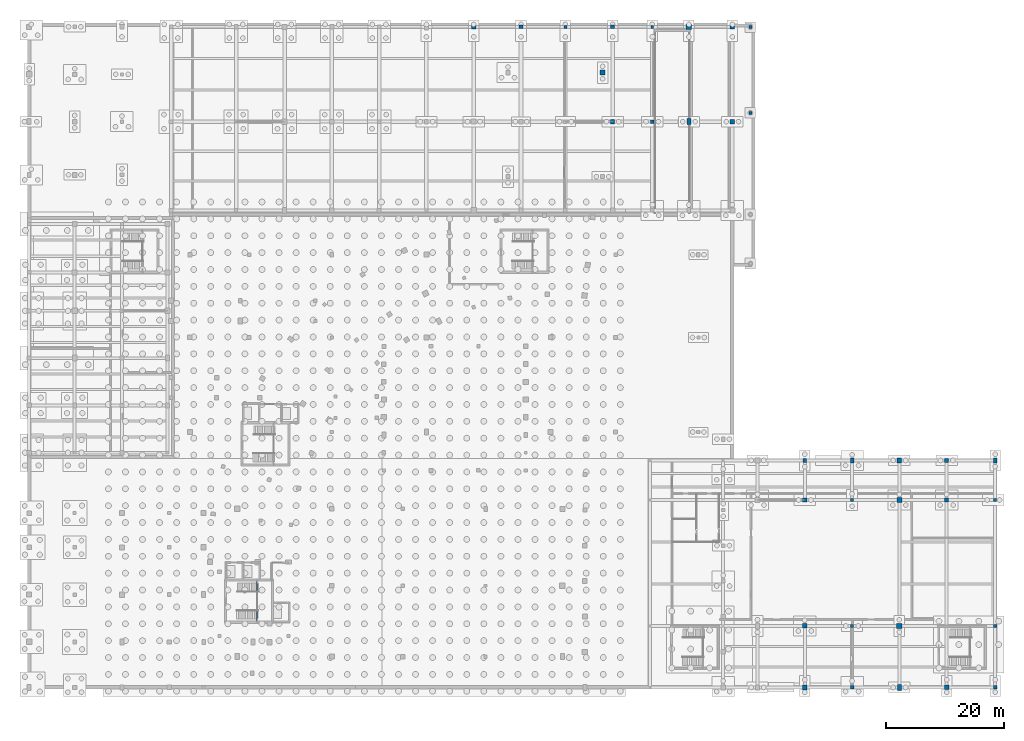
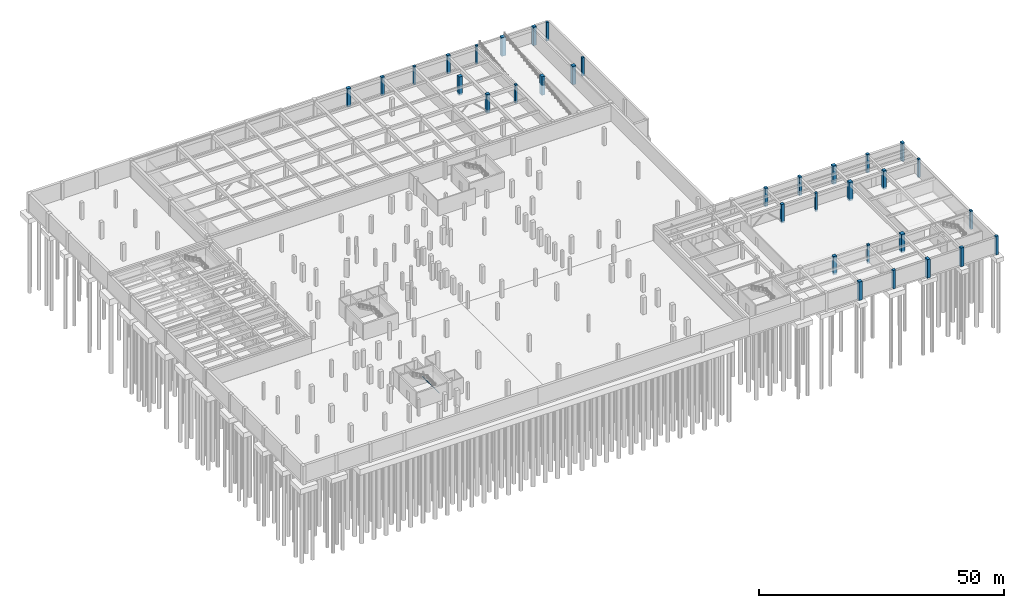
# One storey, part 9 of 36: 33 columns, 1 member.
"""IFC4 building model written with IfcOpenShell, lengths in metres."""

from ifc_helpers import new_model, si_unit, direction, frame, origin, origin_2d, place, context, subcontext, project, spatial, rectangle, hollow_rectangle, extrude, material, material_profile, profile_set, type_object, element, save


model = new_model("IFC4")

# Units and contexts
model_context = context("Model", 3, precision=1e-05, world=origin(), true_north=direction((0.0, 1.0)))
body_context = subcontext(model_context, "Body", "Model", "MODEL_VIEW")
ifc_project = project(units=[si_unit("LENGTHUNIT", "METRE"), si_unit("AREAUNIT", "SQUARE_METRE"), si_unit("VOLUMEUNIT", "CUBIC_METRE"), si_unit("PLANEANGLEUNIT", "RADIAN"), si_unit("MASSUNIT", "GRAM", prefix="KILO"), si_unit("THERMODYNAMICTEMPERATUREUNIT", "KELVIN"), si_unit("POWERUNIT", "WATT")], contexts=[model_context])

# Site, building, storey
site_placement = place(None, origin())
site = spatial("IfcSite", under=ifc_project, at=site_placement, CompositionType="ELEMENT")
building_placement = place(site_placement, origin())
building = spatial("IfcBuilding", under=site, at=building_placement, Name="Solvatero Civic Police Headquarters", CompositionType="ELEMENT")
storey_placement = place(building_placement, frame((0.0, 0.0, -8.39990234375)))
storey = spatial("IfcBuildingStorey", under=building, at=storey_placement, Name="B02", CompositionType="ELEMENT", Elevation=-8.39990234375)

# Columns
ifc_material_1 = material(Name="Concrete C40/50", Category="concrete")
ifc_material_profile_1 = material_profile(ifc_material_1, rectangle(XDim=0.5, YDim=0.5, at=origin_2d()), Name="RC 500x500")
ifc_profile_set_1 = profile_set([ifc_material_profile_1], Name="Concrete C40/50")
column_type_1 = type_object("IfcColumnType", Name="COL-RC-500", PredefinedType="COLUMN", material=ifc_profile_set_1)
for number, where, z_axis, x_axis, name in (
    (1, (144.0, 36.5, -0.440185546875), (0.0, 0.0, 1.0), (1.0, 0.0, 0.0), "Column V3-X3Y3 B02"),
    (2, (168.199951171875, 36.5, -0.440185546875), (0.0, 0.0, 1.0), (1.0, 0.0, 0.0), "Column V3-X6Y3 B02"),
    (3, (110.199951171875, 116.550048828125, -0.440185546875), (0.0, 0.0, 1.0), (1.0, 0.0, 0.0), "Column V7-X11Y3 B02"),
    (4, (95.5, 116.550048828125, -0.440185546875), (0.0, 0.0, 1.0), (1.0, 0.0, 0.0), "Column V7-X9Y3 B02"),
    (5, (126.800048828125, 102.0, -0.440185546875), (0.0, 0.0, 1.0), (1.0, 0.0, 0.0), "Driveway Support Pier 3 B02"),
    (6, (126.800048828125, 116.5, -0.440185546875), (0.0, 0.0, 1.0), (1.0, 0.0, 0.0), "Driveway Support Pier 4 B02"),
):
    element("IfcColumn", number, at=place(storey_placement, frame(where, z_axis=z_axis, x_axis=x_axis)), inside=storey, type_object=column_type_1, Name=name, PredefinedType="COLUMN", context=body_context, shape_type="SweptSolid", body=[
        extrude(rectangle(XDim=0.5, YDim=0.5, at=origin_2d()), origin(), (0.0, 0.0, 1.0), 4.64013671875),
    ])
ifc_material_profile_2 = material_profile(ifc_material_1, rectangle(XDim=0.550048828125, YDim=0.550048828125, at=origin_2d()), Name="RC 550x550")
ifc_profile_set_2 = profile_set([ifc_material_profile_2], Name="Concrete C40/50")
column_type_2 = type_object("IfcColumnType", Name="COL-RC-550", PredefinedType="COLUMN", material=ifc_profile_set_2)
for number, where, z_axis, x_axis, name in (
    (7, (144.0, 15.199951171875, -0.440185546875), (0.0, 0.0, 1.0), (1.0, 0.0, 0.0), "Column V3-X3Y2 B02"),
    (8, (168.199951171875, 15.199951171875, -0.440185546875), (0.0, 0.0, 1.0), (1.0, 0.0, 0.0), "Column V3-X6Y2 B02"),
    (9, (110.199951171875, 100.5, -0.440185546875), (0.0, 0.0, 1.0), (1.0, 0.0, 0.0), "Column V7-X11Y2 B02"),
):
    element("IfcColumn", number, at=place(storey_placement, frame(where, z_axis=z_axis, x_axis=x_axis)), inside=storey, type_object=column_type_2, Name=name, PredefinedType="COLUMN", context=body_context, shape_type="SweptSolid", body=[
        extrude(rectangle(XDim=0.550048828125, YDim=0.550048828125, at=origin_2d()), origin(), (0.0, 0.0, 1.0), 4.64013671875),
    ])
ifc_material_profile_3 = material_profile(ifc_material_1, rectangle(XDim=0.60009765625, YDim=0.60009765625, at=origin_2d()), Name="RC 600x600")
ifc_profile_set_3 = profile_set([ifc_material_profile_3], Name="Concrete C40/50")
column_type_3 = type_object("IfcColumnType", Name="COL-RC-600", PredefinedType="COLUMN", material=ifc_profile_set_3)
for number, where, z_axis, x_axis, name in (
    (10, (144.0, 4.800048828125, -0.440185546875), (0.0, 0.0, 1.0), (1.0, 0.0, 0.0), "Column V3-X3Y1 B02"),
    (11, (168.199951171875, 4.800048828125, -0.440185546875), (0.0, 0.0, 1.0), (1.0, 0.0, 0.0), "Column V3-X6Y1 B02"),
):
    element("IfcColumn", number, at=place(storey_placement, frame(where, z_axis=z_axis, x_axis=x_axis)), inside=storey, type_object=column_type_3, Name=name, PredefinedType="COLUMN", context=body_context, shape_type="SweptSolid", body=[
        extrude(rectangle(XDim=0.60009765625, YDim=0.60009765625, at=origin_2d()), origin(), (0.0, 0.0, 1.0), 4.64013671875),
    ])
ifc_material_profile_4 = material_profile(ifc_material_1, rectangle(XDim=0.60009765625, YDim=0.800048828125, at=origin_2d()), Name="RC 600x800")
ifc_profile_set_4 = profile_set([ifc_material_profile_4], Name="Concrete C40/50")
column_type_4 = type_object("IfcColumnType", Name="COL-RC-600x800", PredefinedType="COLUMN", material=ifc_profile_set_4)
for number, where, z_axis, x_axis, name in (
    (12, (144.0, 43.199951171875, -0.440185546875), (0.0, 0.0, 1.0), (1.0, 0.0, 0.0), "Column V3-X3Y4 B02"),
    (13, (168.199951171875, 43.199951171875, -0.440185546875), (0.0, 0.0, 1.0), (1.0, 0.0, 0.0), "Column V3-X6Y4 B02"),
):
    element("IfcColumn", number, at=place(storey_placement, frame(where, z_axis=z_axis, x_axis=x_axis)), inside=storey, type_object=column_type_4, Name=name, PredefinedType="COLUMN", context=body_context, shape_type="SweptSolid", body=[
        extrude(rectangle(XDim=0.60009765625, YDim=0.800048828125, at=origin_2d()), origin(), (0.0, 0.0, 1.0), 4.64013671875),
    ])
ifc_material_profile_5 = material_profile(ifc_material_1, rectangle(XDim=0.64990234375, YDim=0.64990234375, at=origin_2d()), Name="RC 650x650")
ifc_profile_set_5 = profile_set([ifc_material_profile_5], Name="Concrete C40/50")
column_type_5 = type_object("IfcColumnType", Name="COL-RC-650", PredefinedType="COLUMN", material=ifc_profile_set_5)
for number, where, z_axis, x_axis, name in (
    (14, (136.0, 43.199951171875, -0.440185546875), (0.0, 0.0, 1.0), (1.0, 0.0, 0.0), "Column V3-X2Y4 B02"),
    (15, (160.0, 43.199951171875, -0.440185546875), (0.0, 0.0, 1.0), (1.0, 0.0, 0.0), "Column V3-X5Y4 B02"),
    (16, (103.5, 116.550048828125, -0.440185546875), (0.0, 0.0, 1.0), (1.0, 0.0, 0.0), "Column V7-X10Y3 B02"),
    (17, (88.0, 116.550048828125, -0.440185546875), (0.0, 0.0, 1.0), (1.0, 0.0, 0.0), "Column V7-X8Y3 B02"),
):
    element("IfcColumn", number, at=place(storey_placement, frame(where, z_axis=z_axis, x_axis=x_axis)), inside=storey, type_object=column_type_5, Name=name, PredefinedType="COLUMN", context=body_context, shape_type="SweptSolid", body=[
        extrude(rectangle(XDim=0.64990234375, YDim=0.64990234375, at=origin_2d()), origin(), (0.0, 0.0, 1.0), 4.64013671875),
    ])
ifc_material_profile_6 = material_profile(ifc_material_1, rectangle(XDim=0.699951171875, YDim=0.699951171875, at=origin_2d()), Name="RC 700x700")
ifc_profile_set_6 = profile_set([ifc_material_profile_6], Name="Concrete C40/50")
column_type_6 = type_object("IfcColumnType", Name="COL-RC-700", PredefinedType="COLUMN", material=ifc_profile_set_6)
for number, where, z_axis, x_axis, name in (
    (18, (136.0, 36.5, -0.440185546875), (0.0, 0.0, 1.0), (1.0, 0.0, 0.0), "Column V3-X2Y3 B02"),
    (19, (160.0, 36.5, -0.440185546875), (0.0, 0.0, 1.0), (1.0, 0.0, 0.0), "Column V3-X5Y3 B02"),
    (20, (103.5, 100.5, -0.440185546875), (0.0, 0.0, 1.0), (1.0, 0.0, 0.0), "Column V7-X10Y2 B02"),
):
    element("IfcColumn", number, at=place(storey_placement, frame(where, z_axis=z_axis, x_axis=x_axis)), inside=storey, type_object=column_type_6, Name=name, PredefinedType="COLUMN", context=body_context, shape_type="SweptSolid", body=[
        extrude(rectangle(XDim=0.699951171875, YDim=0.699951171875, at=origin_2d()), origin(), (0.0, 0.0, 1.0), 4.64013671875),
    ])
ifc_material_profile_7 = material_profile(ifc_material_1, rectangle(XDim=0.699951171875, YDim=1.0, at=origin_2d()), Name="RC 700x1000")
ifc_profile_set_7 = profile_set([ifc_material_profile_7], Name="Concrete C40/50")
column_type_7 = type_object("IfcColumnType", Name="COL-RC-700x1000", PredefinedType="COLUMN", material=ifc_profile_set_7)
for number, where, z_axis, x_axis, name in (
    (21, (152.0, 4.800048828125, -0.440185546875), (0.0, 0.0, 1.0), (1.0, 0.0, 0.0), "Column V3-X4Y1 B02"),
    (22, (116.39990234375, 100.5, -0.440185546875), (0.0, 0.0, 1.0), (1.0, 0.0, 0.0), "Column V7-X12Y2 B02"),
):
    element("IfcColumn", number, at=place(storey_placement, frame(where, z_axis=z_axis, x_axis=x_axis)), inside=storey, type_object=column_type_7, Name=name, PredefinedType="COLUMN", context=body_context, shape_type="SweptSolid", body=[
        extrude(rectangle(XDim=0.699951171875, YDim=1.0, at=origin_2d()), origin(), (0.0, 0.0, 1.0), 4.64013671875),
    ])
ifc_material_profile_8 = material_profile(ifc_material_1, rectangle(XDim=0.75, YDim=0.75, at=origin_2d()), Name="RC 750x750")
ifc_profile_set_8 = profile_set([ifc_material_profile_8], Name="Concrete C40/50")
column_type_8 = type_object("IfcColumnType", Name="COL-RC-750", PredefinedType="COLUMN", material=ifc_profile_set_8)
for number, where, z_axis, x_axis, name in (
    (23, (136.0, 15.199951171875, -0.440185546875), (0.0, 0.0, 1.0), (1.0, 0.0, 0.0), "Column V3-X2Y2 B02"),
    (24, (160.0, 4.800048828125, -0.440185546875), (0.0, 0.0, 1.0), (1.0, 0.0, 0.0), "Column V3-X5Y1 B02"),
    (25, (123.75, 116.550048828125, -0.440185546875), (0.0, 0.0, 1.0), (1.0, 0.0, 0.0), "Column V7-X13Y3 B02"),
):
    element("IfcColumn", number, at=place(storey_placement, frame(where, z_axis=z_axis, x_axis=x_axis)), inside=storey, type_object=column_type_8, Name=name, PredefinedType="COLUMN", context=body_context, shape_type="SweptSolid", body=[
        extrude(rectangle(XDim=0.75, YDim=0.75, at=origin_2d()), origin(), (0.0, 0.0, 1.0), 4.64013671875),
    ])
ifc_material_profile_9 = material_profile(ifc_material_1, rectangle(XDim=0.800048828125, YDim=0.800048828125, at=origin_2d()), Name="RC 800x800")
ifc_profile_set_9 = profile_set([ifc_material_profile_9], Name="Concrete C40/50")
column_type_9 = type_object("IfcColumnType", Name="COL-RC-800", PredefinedType="COLUMN", material=ifc_profile_set_9)
for number, where, z_axis, x_axis, name in (
    (26, (101.800048828125, 108.800048828125, -0.440185546875), (0.0, 0.0, 1.0), (1.0, 0.0, 0.0), "Column CUSY-NE B02"),
    (27, (136.0, 4.800048828125, -0.440185546875), (0.0, 0.0, 1.0), (1.0, 0.0, 0.0), "Column V3-X2Y1 B02"),
    (28, (152.0, 43.199951171875, -0.440185546875), (0.0, 0.0, 1.0), (1.0, 0.0, 0.0), "Column V3-X4Y4 B02"),
    (29, (123.75, 100.5, -0.440185546875), (0.0, 0.0, 1.0), (1.0, 0.0, 0.0), "Column V7-X13Y2 B02"),
    (30, (80.0, 116.550048828125, -0.440185546875), (0.0, 0.0, 1.0), (1.0, 0.0, 0.0), "Column V7-X7Y3 B02"),
):
    element("IfcColumn", number, at=place(storey_placement, frame(where, z_axis=z_axis, x_axis=x_axis)), inside=storey, type_object=column_type_9, Name=name, PredefinedType="COLUMN", context=body_context, shape_type="SweptSolid", body=[
        extrude(rectangle(XDim=0.800048828125, YDim=0.800048828125, at=origin_2d()), origin(), (0.0, 0.0, 1.0), 4.64013671875),
    ])
ifc_material_profile_10 = material_profile(ifc_material_1, rectangle(XDim=0.85009765625, YDim=0.85009765625, at=origin_2d()), Name="RC 850x850")
ifc_profile_set_10 = profile_set([ifc_material_profile_10], Name="Concrete C40/50")
column_type_10 = type_object("IfcColumnType", Name="COL-RC-850", PredefinedType="COLUMN", material=ifc_profile_set_10)
column_placement = place(storey_placement, frame((152.0, 36.5, -0.440185546875), z_axis=(0.0, 0.0, 1.0), x_axis=(1.0, 0.0, 0.0)))
element("IfcColumn", 31, at=column_placement, inside=storey, type_object=column_type_10, Name="Column V3-X4Y3 B02", PredefinedType="COLUMN", context=body_context, shape_type="SweptSolid", body=[
    extrude(rectangle(XDim=0.85009765625, YDim=0.85009765625, at=origin_2d()), origin(), (0.0, 0.0, 1.0), 4.64013671875),
])
ifc_material_profile_11 = material_profile(ifc_material_1, rectangle(XDim=0.89990234375, YDim=0.89990234375, at=origin_2d()), Name="RC 900x900")
ifc_profile_set_11 = profile_set([ifc_material_profile_11], Name="Concrete C40/50")
column_type_11 = type_object("IfcColumnType", Name="COL-RC-900", PredefinedType="COLUMN", material=ifc_profile_set_11)
for number, where, z_axis, x_axis, name in (
    (32, (152.0, 15.199951171875, -0.440185546875), (0.0, 0.0, 1.0), (1.0, 0.0, 0.0), "Column V3-X4Y2 B02"),
    (33, (116.39990234375, 116.550048828125, -0.440185546875), (0.0, 0.0, 1.0), (1.0, 0.0, 0.0), "Column V7-X12Y3 B02"),
):
    element("IfcColumn", number, at=place(storey_placement, frame(where, z_axis=z_axis, x_axis=x_axis)), inside=storey, type_object=column_type_11, Name=name, PredefinedType="COLUMN", context=body_context, shape_type="SweptSolid", body=[
        extrude(rectangle(XDim=0.89990234375, YDim=0.89990234375, at=origin_2d()), origin(), (0.0, 0.0, 1.0), 4.64013671875),
    ])

# Member
ifc_material_2 = material(Name="Steel S355", Category="steel")
ifc_material_profile_12 = material_profile(ifc_material_2, hollow_rectangle(XDim=0.10009765625, YDim=0.14990234375, WallThickness=0.00634765625, InnerFilletRadius=0.00634765625, OuterFilletRadius=0.0126953125, at=origin_2d()), Name="RHS 150x100x6.3")
ifc_profile_set_12 = profile_set([ifc_material_profile_12], Name="Steel S355")
member_type = type_object("IfcMemberType", Name="MB-BR-RHS150", PredefinedType="BRACE", material=ifc_profile_set_12)
member_placement = place(storey_placement, frame((43.340087890625, 15.8798828125, 1.824951171875), z_axis=(0.0, 1.0, 0.0), x_axis=(-1.0, 0.0, 0.0)))
element("IfcMember", 34, at=member_placement, inside=storey, type_object=member_type, Name="ST-C1 B02 Landing Support Beam", PredefinedType="BRACE", context=body_context, shape_type="SweptSolid", body=[
    extrude(hollow_rectangle(XDim=0.10009765625, YDim=0.14990234375, WallThickness=0.00634765625, InnerFilletRadius=0.00634765625, OuterFilletRadius=0.0126953125, at=origin_2d()), origin(), (0.0, 0.0, 1.0), 7.0400390625),
])

save(model, "model.ifc")
